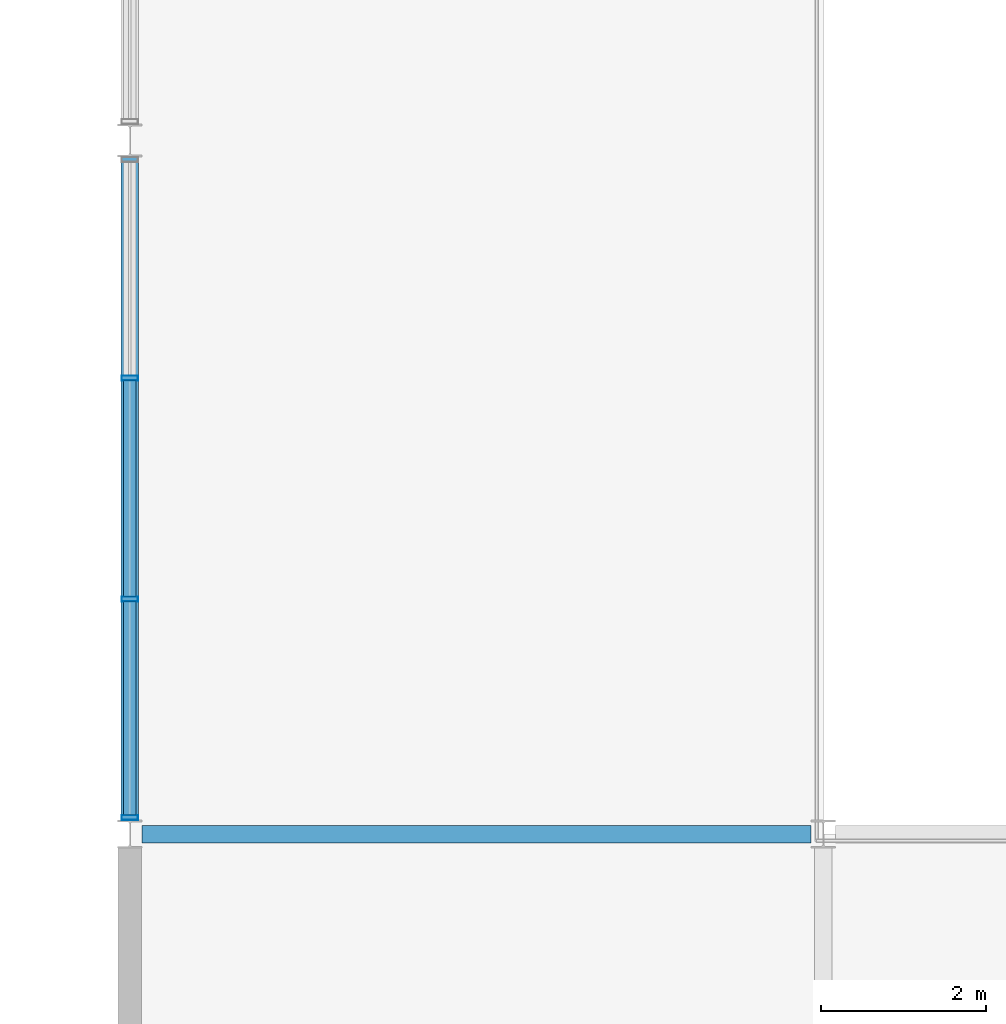
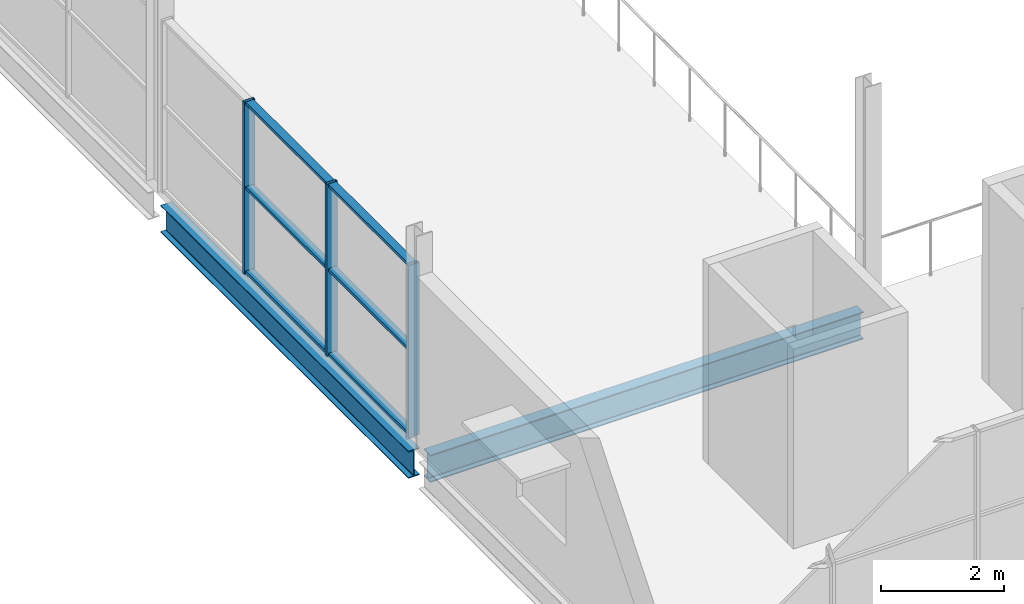
# One storey, part 18 of 93: 9 members, 2 beams, 1 element without a shape of its own.
"""IFC4 building model written with IfcOpenShell, lengths in metres."""

from ifc_helpers import new_model, si_unit, direction, frame, origin, origin_2d, place, context, subcontext, project, spatial, hollow_rectangle, i_section, extrude, material, material_profile, profile_set, type_object, element, aggregate, save


model = new_model("IFC4")

# Units and contexts
model_context = context("Model", 3, precision=1e-05, world=origin(), true_north=direction((0.0, 1.0)))
body_context = subcontext(model_context, "Body", "Model", "MODEL_VIEW")
ifc_project = project(units=[si_unit("LENGTHUNIT", "METRE"), si_unit("AREAUNIT", "SQUARE_METRE"), si_unit("VOLUMEUNIT", "CUBIC_METRE"), si_unit("PLANEANGLEUNIT", "RADIAN"), si_unit("MASSUNIT", "GRAM", prefix="KILO"), si_unit("THERMODYNAMICTEMPERATUREUNIT", "KELVIN")], contexts=[model_context])

# Site, building, storey
site_placement = place(None, origin())
site = spatial("IfcSite", under=ifc_project, at=site_placement, CompositionType="ELEMENT")
building_placement = place(site_placement, origin())
building = spatial("IfcBuilding", under=site, at=building_placement, Name="Nduvali Passage Aquatics Centre", CompositionType="ELEMENT")
storey_placement = place(building_placement, frame((0.0, 0.0, 9.0)))
storey = spatial("IfcBuildingStorey", under=building, at=storey_placement, Name="L02", CompositionType="ELEMENT", Elevation=9.0)

# Curtain wall, members
ifc_material_1 = material(Name="Aluminium EN AW-6063 T6", Category="aluminium")
curtain_wall_type = type_object("IfcCurtainWallType", Name="ENV-CW-DIVE", PredefinedType="NOTDEFINED", material=ifc_material_1)
curtain_wall_placement = place(storey_placement, origin())
curtain_wall = element("IfcCurtainWall", 1, at=curtain_wall_placement, inside=storey, type_object=curtain_wall_type, Name="L02 West Diving High Platform CW 129", PredefinedType="NOTDEFINED")
ifc_material_profile_1 = material_profile(ifc_material_1, hollow_rectangle(XDim=0.06005859375, YDim=0.199951171875, WallThickness=0.00390625, at=origin_2d()), Name="ALU MULLION 60x200x4")
ifc_profile_set_1 = profile_set([ifc_material_profile_1], Name="Aluminium EN AW-6063 T6")
member_type_1 = type_object("IfcMemberType", Name="ENV-MEM-MUL80", PredefinedType="MULLION", material=ifc_profile_set_1)
member_1_placement = place(storey_placement, frame((0.0, 42.199951171875, 0.0), z_axis=(0.0, 0.0, 1.0), x_axis=(0.0, 1.0, 0.0)))
member_1 = element("IfcMember", 2, at=member_1_placement, type_object=member_type_1, Name="West Diving High Platform CW Mullion 1", PredefinedType="MULLION", context=body_context, shape_type="SweptSolid", body=[
    extrude(hollow_rectangle(XDim=0.06005859375, YDim=0.199951171875, WallThickness=0.00390625, at=origin_2d()), origin(), (0.0, 0.0, 1.0), 3.406494140625),
])
member_2_placement = place(storey_placement, frame((0.0, 44.8466796875, 0.0), z_axis=(0.0, 0.0, 1.0), x_axis=(0.0, 1.0, 0.0)))
member_2 = element("IfcMember", 3, at=member_2_placement, type_object=member_type_1, Name="West Diving High Platform CW Mullion 2", PredefinedType="MULLION", context=body_context, shape_type="SweptSolid", body=[
    extrude(hollow_rectangle(XDim=0.06005859375, YDim=0.199951171875, WallThickness=0.00390625, at=origin_2d()), origin(), (0.0, 0.0, 1.0), 3.406494140625),
])
member_3_placement = place(storey_placement, frame((0.0, 47.523193359375, 0.0), z_axis=(0.0, 0.0, 1.0), x_axis=(0.0, 1.0, 0.0)))
member_3 = element("IfcMember", 4, at=member_3_placement, type_object=member_type_1, Name="West Diving High Platform CW Mullion 3", PredefinedType="MULLION", context=body_context, shape_type="SweptSolid", body=[
    extrude(hollow_rectangle(XDim=0.06005859375, YDim=0.199951171875, WallThickness=0.00390625, at=origin_2d()), origin(), (0.0, 0.0, 1.0), 3.406494140625),
])
ifc_material_profile_2 = material_profile(ifc_material_1, hollow_rectangle(XDim=0.14990234375, YDim=0.06005859375, WallThickness=0.00390625, at=origin_2d()), Name="ALU TRANSOM 150x60x4")
ifc_profile_set_2 = profile_set([ifc_material_profile_2], Name="Aluminium EN AW-6063 T6")
member_type_2 = type_object("IfcMemberType", Name="ENV-MEM-TRN80", PredefinedType="USERDEFINED", material=ifc_profile_set_2)
member_4_placement = place(storey_placement, frame((0.0, 42.22998046875, 0.030029296875), z_axis=(0.0, 1.0, 0.0), x_axis=(-1.0, 0.0, 0.0)))
member_4 = element("IfcMember", 5, at=member_4_placement, type_object=member_type_2, Name="West Diving High Platform CW Transom B1-R0", ObjectType="TRANSOM", PredefinedType="USERDEFINED", context=body_context, shape_type="SweptSolid", body=[
    extrude(hollow_rectangle(XDim=0.14990234375, YDim=0.06005859375, WallThickness=0.00390625, at=origin_2d()), origin(), (0.0, 0.0, 1.0), 2.586669921875),
])
member_5_placement = place(storey_placement, frame((0.0, 42.22998046875, 1.703125), z_axis=(0.0, 1.0, 0.0), x_axis=(-1.0, 0.0, 0.0)))
member_5 = element("IfcMember", 6, at=member_5_placement, type_object=member_type_2, Name="West Diving High Platform CW Transom B1-R1", ObjectType="TRANSOM", PredefinedType="USERDEFINED", context=body_context, shape_type="SweptSolid", body=[
    extrude(hollow_rectangle(XDim=0.14990234375, YDim=0.06005859375, WallThickness=0.00390625, at=origin_2d()), origin(), (0.0, 0.0, 1.0), 2.586669921875),
])
member_6_placement = place(storey_placement, frame((0.0, 42.22998046875, 3.37646484375), z_axis=(0.0, 1.0, 0.0), x_axis=(-1.0, 0.0, 0.0)))
member_6 = element("IfcMember", 7, at=member_6_placement, type_object=member_type_2, Name="West Diving High Platform CW Transom B1-R2", ObjectType="TRANSOM", PredefinedType="USERDEFINED", context=body_context, shape_type="SweptSolid", body=[
    extrude(hollow_rectangle(XDim=0.14990234375, YDim=0.06005859375, WallThickness=0.00390625, at=origin_2d()), origin(), (0.0, 0.0, 1.0), 2.586669921875),
])
member_7_placement = place(storey_placement, frame((0.0, 44.876708984375, 0.030029296875), z_axis=(0.0, 1.0, 0.0), x_axis=(-1.0, 0.0, 0.0)))
member_7 = element("IfcMember", 8, at=member_7_placement, type_object=member_type_2, Name="West Diving High Platform CW Transom B2-R0", ObjectType="TRANSOM", PredefinedType="USERDEFINED", context=body_context, shape_type="SweptSolid", body=[
    extrude(hollow_rectangle(XDim=0.14990234375, YDim=0.06005859375, WallThickness=0.00390625, at=origin_2d()), origin(), (0.0, 0.0, 1.0), 2.61669921875),
])
member_8_placement = place(storey_placement, frame((0.0, 44.876708984375, 1.703125), z_axis=(0.0, 1.0, 0.0), x_axis=(-1.0, 0.0, 0.0)))
member_8 = element("IfcMember", 9, at=member_8_placement, type_object=member_type_2, Name="West Diving High Platform CW Transom B2-R1", ObjectType="TRANSOM", PredefinedType="USERDEFINED", context=body_context, shape_type="SweptSolid", body=[
    extrude(hollow_rectangle(XDim=0.14990234375, YDim=0.06005859375, WallThickness=0.00390625, at=origin_2d()), origin(), (0.0, 0.0, 1.0), 2.61669921875),
])
member_9_placement = place(storey_placement, frame((0.0, 44.876708984375, 3.37646484375), z_axis=(0.0, 1.0, 0.0), x_axis=(-1.0, 0.0, 0.0)))
member_9 = element("IfcMember", 10, at=member_9_placement, type_object=member_type_2, Name="West Diving High Platform CW Transom B2-R2", ObjectType="TRANSOM", PredefinedType="USERDEFINED", context=body_context, shape_type="SweptSolid", body=[
    extrude(hollow_rectangle(XDim=0.14990234375, YDim=0.06005859375, WallThickness=0.00390625, at=origin_2d()), origin(), (0.0, 0.0, 1.0), 2.61669921875),
])
aggregate(curtain_wall, [member_1, member_2, member_3, member_4, member_5, member_6, member_7, member_8, member_9])

# Beams
ifc_material_2 = material(Name="Steel S355", Category="steel")
ifc_material_profile_3 = material_profile(ifc_material_2, i_section(OverallWidth=0.210693359375, OverallDepth=0.53955078125, WebThickness=0.01171875, FlangeThickness=0.018798828125, FilletRadius=0.0126953125, at=origin_2d()), Name="UKB 533x210x109")
ifc_profile_set_3 = profile_set([ifc_material_profile_3], Name="Steel S355")
beam_type_1 = type_object("IfcBeamType", Name="STR-BM-UKB533", PredefinedType="BEAM", material=ifc_profile_set_3)
beam_1_placement = place(storey_placement, frame((0.14990234375, 42.0, -0.53369140625), z_axis=(1.0, 0.0, 0.0), x_axis=(0.0, 1.0, 0.0)))
element("IfcBeam", 11, at=beam_1_placement, inside=storey, type_object=beam_type_1, Name="L02 Primary X-Girder B6-0890", PredefinedType="BEAM", context=body_context, shape_type="SweptSolid", body=[
    extrude(i_section(OverallWidth=0.210693359375, OverallDepth=0.53955078125, WebThickness=0.01171875, FlangeThickness=0.018798828125, FilletRadius=0.0126953125, at=origin_2d()), origin(), (0.0, 0.0, 1.0), 8.10009765625),
])
ifc_material_profile_4 = material_profile(ifc_material_2, i_section(OverallWidth=0.210693359375, OverallDepth=0.53955078125, WebThickness=0.01171875, FlangeThickness=0.018798828125, FilletRadius=0.0126953125, at=origin_2d()), Name="UKB 533x210x109")
ifc_profile_set_4 = profile_set([ifc_material_profile_4], Name="Steel S355")
beam_type_2 = type_object("IfcBeamType", Name="STR-BM-UKB533-EXT", PredefinedType="BEAM", material=ifc_profile_set_4)
beam_2_placement = place(storey_placement, frame((0.0, 42.169921875, -0.53369140625), z_axis=(0.0, 1.0, 0.0), x_axis=(-1.0, 0.0, 0.0)))
element("IfcBeam", 12, at=beam_2_placement, inside=storey, type_object=beam_type_2, Name="L02 Primary Y-Girder B6E-0951", PredefinedType="BEAM", context=body_context, shape_type="SweptSolid", body=[
    extrude(i_section(OverallWidth=0.210693359375, OverallDepth=0.53955078125, WebThickness=0.01171875, FlangeThickness=0.018798828125, FilletRadius=0.0126953125, at=origin_2d()), origin(), (0.0, 0.0, 1.0), 8.030029296875),
])

save(model, "model.ifc")
